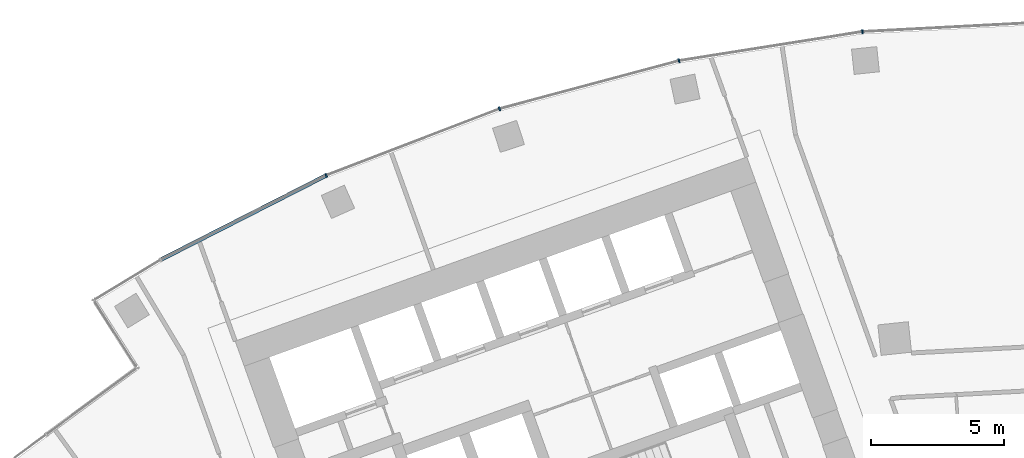
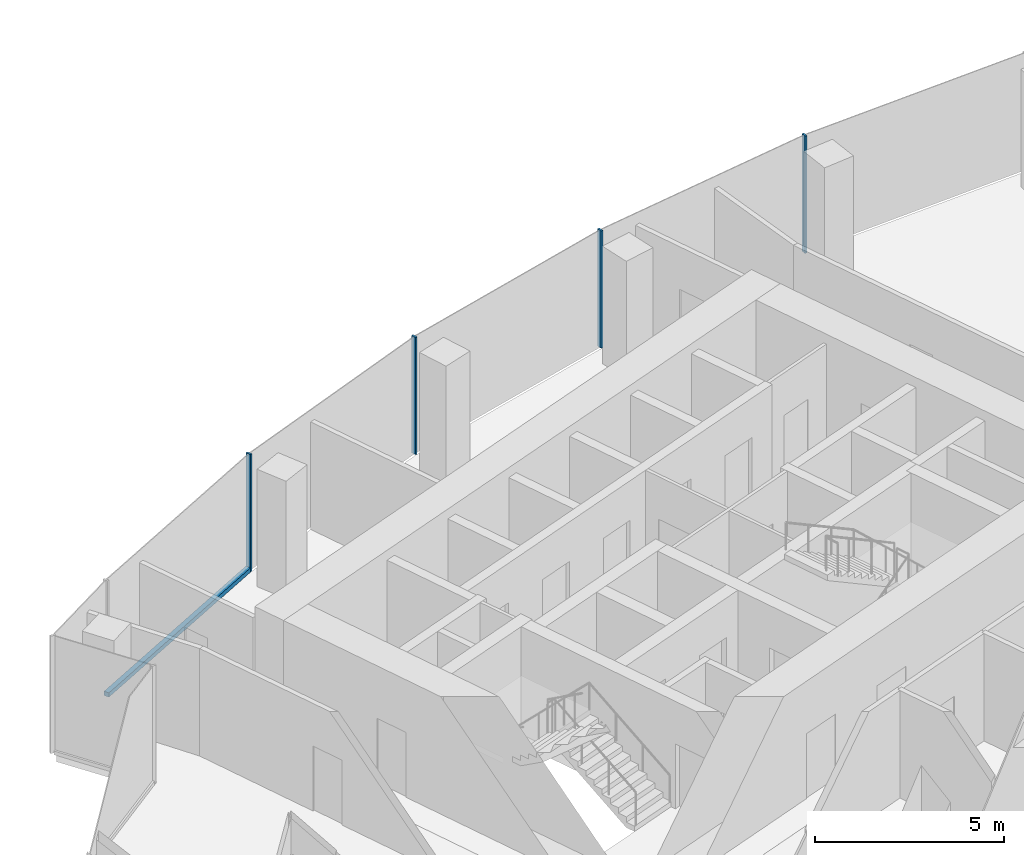
# One storey, part 5 of 16: 5 members, 1 element without a shape of its own.
"""IFC4 building model written with IfcOpenShell, lengths in metres."""

from ifc_helpers import new_model, si_unit, direction, frame, origin, origin_2d, place, context, subcontext, project, spatial, rectangle, extrude, material, layer, layer_set, material_profile, profile_set, type_object, element, aggregate, save


model = new_model("IFC4")

# Units and contexts
model_context = context("Model", 3, precision=1e-05, world=origin(), true_north=direction((0.0, 1.0)))
body_context = subcontext(model_context, "Body", "Model", "MODEL_VIEW")
ifc_project = project(units=[si_unit("LENGTHUNIT", "METRE"), si_unit("AREAUNIT", "SQUARE_METRE"), si_unit("VOLUMEUNIT", "CUBIC_METRE"), si_unit("PLANEANGLEUNIT", "RADIAN"), si_unit("MASSUNIT", "GRAM", prefix="KILO")], contexts=[model_context])

# Site, building, storey
site_placement = place(None, origin())
site = spatial("IfcSite", under=ifc_project, at=site_placement, CompositionType="ELEMENT")
building_placement = place(site_placement, origin())
building = spatial("IfcBuilding", under=site, at=building_placement, Name="Stone Belt Terrace Tower", CompositionType="ELEMENT")
storey_placement = place(building_placement, frame((0.0, 0.0, 242.800048828125)))
storey = spatial("IfcBuildingStorey", under=building, at=storey_placement, Name="L59", CompositionType="ELEMENT", Elevation=242.800048828125)

# Curtain wall, members
ifc_material = material(Name="Aluminium 6063-T6 anodised frame", Category="aluminium")
ifc_layer = layer(ifc_material, 0.14990234375)
ifc_layer_set = layer_set([ifc_layer], Name="CW-A unitised convex-face curtain wall")
curtain_wall_type = type_object("IfcCurtainWallType", Name="CW-A unitised convex-face curtain wall", PredefinedType="NOTDEFINED", material=ifc_layer_set)
curtain_wall_placement = place(storey_placement, origin())
curtain_wall = element("IfcCurtainWall", 1, at=curtain_wall_placement, inside=storey, type_object=curtain_wall_type, Name="CW-A convex face L59", PredefinedType="NOTDEFINED")
ifc_material_profile_1 = material_profile(ifc_material, rectangle(XDim=0.14990234375, YDim=0.06005859375, at=origin_2d()), Name="Aluminium 6063-T6 60x150")
ifc_profile_set_1 = profile_set([ifc_material_profile_1], Name="Aluminium 6063-T6 anodised frame")
member_type_1 = type_object("IfcMemberType", Name="CW-A mullion 60 x 150", PredefinedType="MULLION", material=ifc_profile_set_1)
member_1_placement = place(storey_placement, frame((-6.958984375, 66.21044921875, 0.0), z_axis=(0.0, 0.0, 1.0), x_axis=(0.104528463268, -0.994521895368, 0.0)))
member_1 = element("IfcMember", 2, at=member_1_placement, type_object=member_type_1, Name="CW-A mullion 10", PredefinedType="MULLION", context=body_context, shape_type="SweptSolid", body=[
    extrude(rectangle(XDim=0.14990234375, YDim=0.06005859375, at=origin_2d()), origin(), (0.0, 0.0, 1.0), 3.800048828125),
])
member_2_placement = place(storey_placement, frame((-13.841796875, 65.120361328125, 0.0), z_axis=(0.0, 0.0, 1.0), x_axis=(0.207911690818, -0.978147600734, 0.0)))
member_2 = element("IfcMember", 3, at=member_2_placement, type_object=member_type_1, Name="CW-A mullion 11", PredefinedType="MULLION", context=body_context, shape_type="SweptSolid", body=[
    extrude(rectangle(XDim=0.14990234375, YDim=0.06005859375, at=origin_2d()), origin(), (0.0, 0.0, 1.0), 3.800048828125),
])
member_3_placement = place(storey_placement, frame((-20.57275390625, 63.316650390625, 0.0), z_axis=(0.0, 0.0, 1.0), x_axis=(0.309016994375, -0.951056516295, 0.0)))
member_3 = element("IfcMember", 4, at=member_3_placement, type_object=member_type_1, Name="CW-A mullion 12", PredefinedType="MULLION", context=body_context, shape_type="SweptSolid", body=[
    extrude(rectangle(XDim=0.14990234375, YDim=0.06005859375, at=origin_2d()), origin(), (0.0, 0.0, 1.0), 3.800048828125),
])
member_4_placement = place(storey_placement, frame((-27.07861328125, 60.8193359375, 0.0), z_axis=(0.0, 0.0, 1.0), x_axis=(0.406736643076, -0.913545457643, 0.0)))
member_4 = element("IfcMember", 5, at=member_4_placement, type_object=member_type_1, Name="CW-A mullion 13", PredefinedType="MULLION", context=body_context, shape_type="SweptSolid", body=[
    extrude(rectangle(XDim=0.14990234375, YDim=0.06005859375, at=origin_2d()), origin(), (0.0, 0.0, 1.0), 3.800048828125),
])
ifc_material_profile_2 = material_profile(ifc_material, rectangle(XDim=0.14990234375, YDim=0.139892578125, at=origin_2d()), Name="Aluminium 6063-T6 150x140")
ifc_profile_set_2 = profile_set([ifc_material_profile_2], Name="Aluminium 6063-T6 anodised frame")
member_type_2 = type_object("IfcMemberType", Name="CW-A transom 140 x 150", PredefinedType="USERDEFINED", material=ifc_profile_set_2)
member_5_placement = place(storey_placement, frame((-27.108642578125, 60.803955078125, 0.070068359375), z_axis=(-0.891012226264, -0.453979308613, 0.0), x_axis=(0.453979308613, -0.891012226264, 0.0)))
member_5 = element("IfcMember", 6, at=member_5_placement, type_object=member_type_2, Name="CW-A transom 13.1", ObjectType="TRANSOM", PredefinedType="USERDEFINED", context=body_context, shape_type="SweptSolid", body=[
    extrude(rectangle(XDim=0.14990234375, YDim=0.139892578125, at=origin_2d()), origin(), (0.0, 0.0, 1.0), 6.90087890625),
])
aggregate(curtain_wall, [member_1, member_2, member_3, member_4, member_5])

save(model, "model.ifc")
